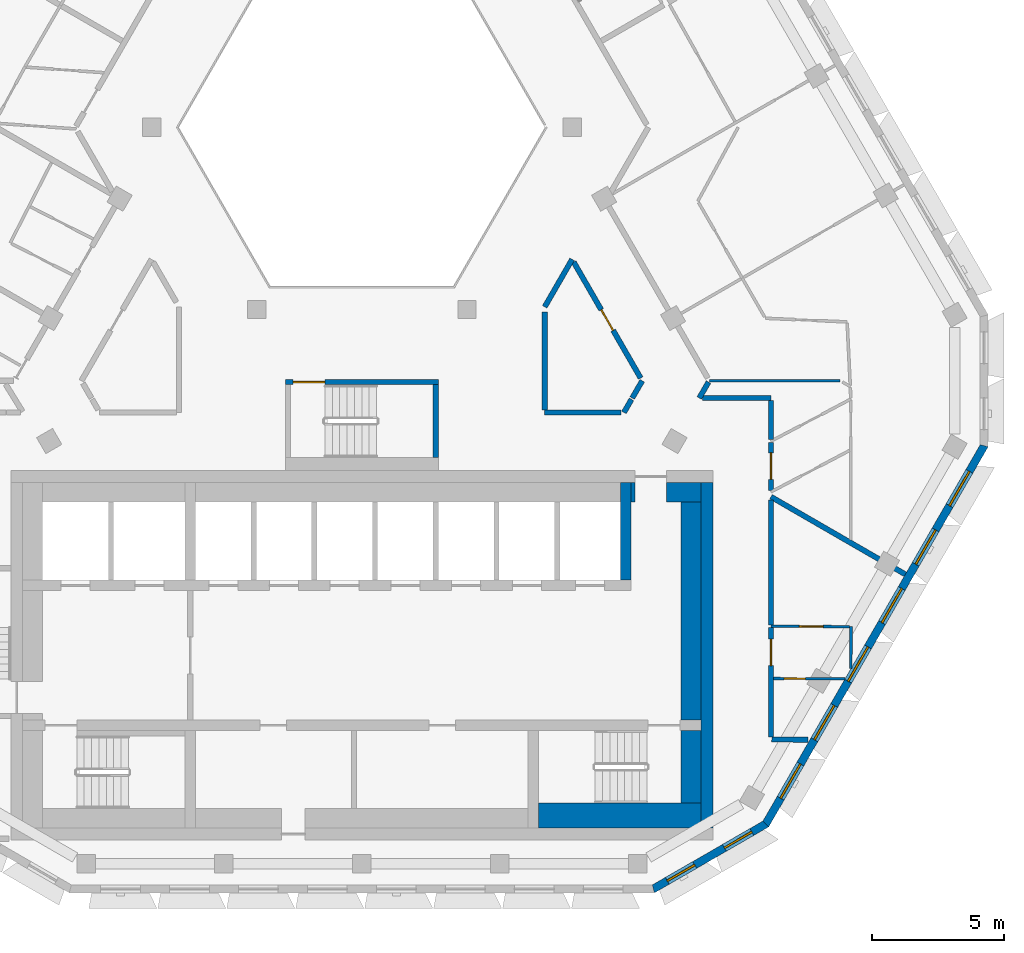
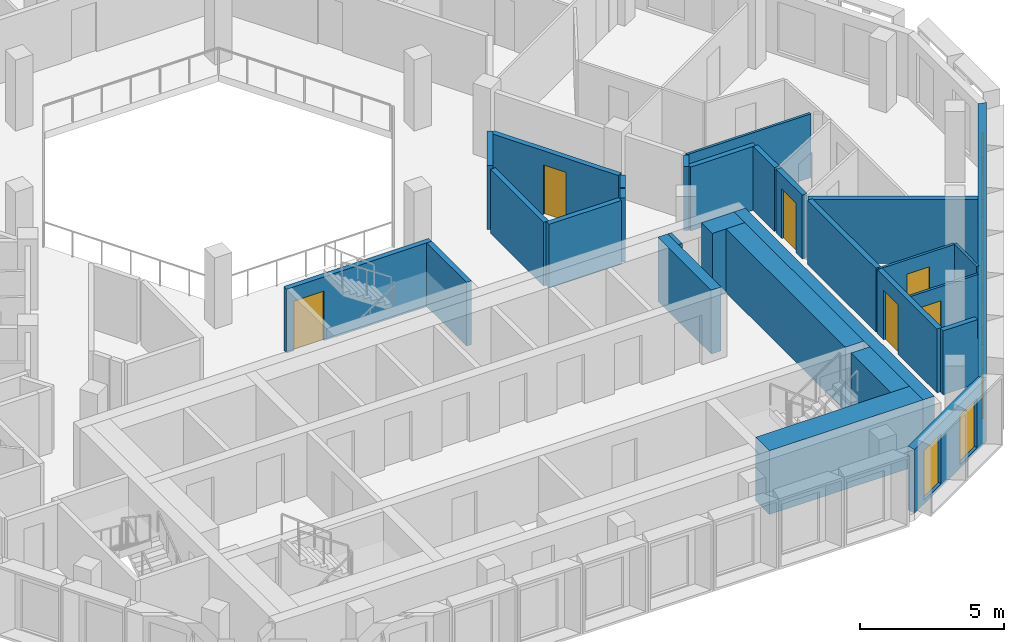
# One storey, part 6 of 16: 29 walls, 8 windows, 6 doors, 14 openings.
"""IFC4 building model written with IfcOpenShell, lengths in metres."""

from ifc_helpers import new_model, si_unit, direction, frame, frame_2d, origin, place, context, subcontext, project, spatial, polyline, rectangle, outline, extrude, material, layer, layer_set, type_object, element, fill, save


model = new_model("IFC4")

# Units and contexts
model_context = context("Model", 3, precision=1e-05, world=origin(), true_north=direction((0.0, 1.0)))
body_context = subcontext(model_context, "Body", "Model", "MODEL_VIEW")
ifc_project = project(units=[si_unit("LENGTHUNIT", "METRE"), si_unit("AREAUNIT", "SQUARE_METRE"), si_unit("VOLUMEUNIT", "CUBIC_METRE"), si_unit("PLANEANGLEUNIT", "RADIAN"), si_unit("MASSUNIT", "GRAM", prefix="KILO")], contexts=[model_context])

# Site, building, storey
site_placement = place(None, origin())
site = spatial("IfcSite", under=ifc_project, at=site_placement, CompositionType="ELEMENT")
building_placement = place(site_placement, origin())
building = spatial("IfcBuilding", under=site, at=building_placement, Name="Beryl Residences", CompositionType="ELEMENT")
storey_placement = place(building_placement, frame((0.0, 0.0, 208.800048828125)))
storey = spatial("IfcBuildingStorey", under=building, at=storey_placement, Name="L64", CompositionType="ELEMENT", Elevation=208.800048828125)

# Wall, openings, windows
ifc_material_1 = material(Name="Composite metal panel with mineral wool insulation")
ifc_layer_1 = layer(ifc_material_1, 0.300048828125)
ifc_layer_set_1 = layer_set([ifc_layer_1], Name="ES1 pale metal composite panel wall 300 mm")
wall_type_1 = type_object("IfcWallType", Name="ES1 pale metal composite panel wall 300 mm", PredefinedType="SOLIDWALL", material=ifc_layer_set_1)
wall_1_placement = place(storey_placement, frame((11.010009765625, -20.8701171875, 0.0), z_axis=(0.0, 0.0, 1.0), x_axis=(0.866022959057, 0.500004234368, 0.0)))
wall_1 = element("IfcWall", 1, at=wall_1_placement, inside=storey, type_object=wall_type_1, Name="ES1 external wall L64 S-SE", PredefinedType="SOLIDWALL", context=body_context, shape_type="SweptSolid", body=[
    extrude(outline(polyline([(0.0, -0.14990234375), (5.0, -0.14990234375), (4.919677734375, 0.14990234375), (0.080322265625, 0.14990234375), (0.0, -0.14990234375)])), origin(), (0.0, 0.0, 1.0), 2.699951171875),
])
opening_1_placement = place(wall_1_placement, frame((0.64990234375, 0.0, 0.14990234375)))
opening_1 = element("IfcOpeningElement", 2, at=opening_1_placement, cuts=wall_1, Name="Opening W2", PredefinedType="OPENING", context=body_context, shape_type="SweptSolid", body=[
    extrude(rectangle(XDim=1.199951171875, YDim=2.10009765625, at=frame_2d((0.60009765625, 1.050048828125))), frame((0.0, 0.159912109375, 0.0), z_axis=(0.0, -1.0, 0.0), x_axis=(1.0, 0.0, 0.0)), (0.0, 0.0, 1.0), 0.320068359375),
])
opening_2_placement = place(wall_1_placement, frame((3.14892578125, 0.0, 0.14990234375)))
opening_2 = element("IfcOpeningElement", 3, at=opening_2_placement, cuts=wall_1, Name="Opening W2", PredefinedType="OPENING", context=body_context, shape_type="SweptSolid", body=[
    extrude(rectangle(XDim=1.199951171875, YDim=2.10009765625, at=frame_2d((0.60009765625, 1.050048828125))), frame((0.0, 0.159912109375, 0.0), z_axis=(0.0, -1.0, 0.0), x_axis=(1.0, 0.0, 0.0)), (0.0, 0.0, 1.0), 0.320068359375),
])
ifc_material_2 = material(Name="Aluminium and clear glass", Category="aluminium")
window_type_1 = type_object("IfcWindowType", Name="W2 chamfer window 1200 x 2100 mm", PartitioningType="SINGLE_PANEL", PredefinedType="WINDOW", material=ifc_material_2)
window_1_placement = place(opening_1_placement, origin())
window_1 = element("IfcWindow", 4, at=window_1_placement, inside=storey, type_object=window_type_1, Name="W2 window L64 S-SE 1", OverallHeight=2.10009765625, OverallWidth=1.199951171875, PartitioningType="SINGLE_PANEL", PredefinedType="WINDOW", context=body_context, shape_type="SweptSolid", body=[
    extrude(rectangle(XDim=1.199951171875, YDim=2.10009765625, at=frame_2d((0.60009765625, 1.050048828125))), frame((0.0, 0.030029296875, 0.0), z_axis=(0.0, -1.0, 0.0), x_axis=(1.0, 0.0, 0.0)), (0.0, 0.0, 1.0), 0.06005859375),
])
fill(opening_1, window_1)
window_2_placement = place(opening_2_placement, origin())
window_2 = element("IfcWindow", 5, at=window_2_placement, inside=storey, type_object=window_type_1, Name="W2 window L64 S-SE 2", OverallHeight=2.10009765625, OverallWidth=1.199951171875, PartitioningType="SINGLE_PANEL", PredefinedType="WINDOW", context=body_context, shape_type="SweptSolid", body=[
    extrude(rectangle(XDim=1.199951171875, YDim=2.10009765625, at=frame_2d((0.60009765625, 1.050048828125))), frame((0.0, 0.030029296875, 0.0), z_axis=(0.0, -1.0, 0.0), x_axis=(1.0, 0.0, 0.0)), (0.0, 0.0, 1.0), 0.06005859375),
])
fill(opening_2, window_2)

wall_2_placement = place(storey_placement, frame((15.284912109375, -18.425048828125, 0.0), z_axis=(0.0, 0.0, 1.0), x_axis=(0.500012653391, 0.866018098222, 0.0)))
wall_2 = element("IfcWall", 6, at=wall_2_placement, inside=storey, type_object=wall_type_1, Name="ES1 external wall L64 SE", PredefinedType="SOLIDWALL", context=body_context, shape_type="SweptSolid", body=[
    extrude(outline(polyline([(0.0, -0.14990234375), (16.6279296875, -0.14990234375), (16.547607421875, 0.14990234375), (0.080322265625, 0.14990234375), (0.0, -0.14990234375)])), origin(), (0.0, 0.0, 1.0), 2.699951171875),
])
opening_3_placement = place(wall_2_placement, frame((1.1650390625, 0.0, 0.14990234375)))
opening_3 = element("IfcOpeningElement", 7, at=opening_3_placement, cuts=wall_2, Name="Opening W1", PredefinedType="OPENING", context=body_context, shape_type="SweptSolid", body=[
    extrude(rectangle(XDim=1.5, YDim=2.10009765625, at=frame_2d((0.75, 1.050048828125))), frame((0.0, 0.159912109375, 0.0), z_axis=(0.0, -1.0, 0.0), x_axis=(1.0, 0.0, 0.0)), (0.0, 0.0, 1.0), 0.320068359375),
])
opening_4_placement = place(wall_2_placement, frame((3.72412109375, 0.0, 0.14990234375)))
opening_4 = element("IfcOpeningElement", 8, at=opening_4_placement, cuts=wall_2, Name="Opening W1", PredefinedType="OPENING", context=body_context, shape_type="SweptSolid", body=[
    extrude(rectangle(XDim=1.5, YDim=2.10009765625, at=frame_2d((0.75, 1.050048828125))), frame((0.0, 0.159912109375, 0.0), z_axis=(0.0, -1.0, 0.0), x_axis=(1.0, 0.0, 0.0)), (0.0, 0.0, 1.0), 0.320068359375),
])
opening_5_placement = place(wall_2_placement, frame((6.282958984375, 0.0, 0.14990234375)))
opening_5 = element("IfcOpeningElement", 9, at=opening_5_placement, cuts=wall_2, Name="Opening W1", PredefinedType="OPENING", context=body_context, shape_type="SweptSolid", body=[
    extrude(rectangle(XDim=1.5, YDim=2.10009765625, at=frame_2d((0.75, 1.050048828125))), frame((0.0, 0.159912109375, 0.0), z_axis=(0.0, -1.0, 0.0), x_axis=(1.0, 0.0, 0.0)), (0.0, 0.0, 1.0), 0.320068359375),
])
opening_6_placement = place(wall_2_placement, frame((8.843017578125, 0.0, 0.14990234375)))
opening_6 = element("IfcOpeningElement", 10, at=opening_6_placement, cuts=wall_2, Name="Opening W1", PredefinedType="OPENING", context=body_context, shape_type="SweptSolid", body=[
    extrude(rectangle(XDim=1.5, YDim=2.10009765625, at=frame_2d((0.75, 1.050048828125))), frame((0.0, 0.159912109375, 0.0), z_axis=(0.0, -1.0, 0.0), x_axis=(1.0, 0.0, 0.0)), (0.0, 0.0, 1.0), 0.320068359375),
])
opening_7_placement = place(wall_2_placement, frame((11.402099609375, 0.0, 0.14990234375)))
opening_7 = element("IfcOpeningElement", 11, at=opening_7_placement, cuts=wall_2, Name="Opening W1", PredefinedType="OPENING", context=body_context, shape_type="SweptSolid", body=[
    extrude(rectangle(XDim=1.5, YDim=2.10009765625, at=frame_2d((0.75, 1.050048828125))), frame((0.0, 0.159912109375, 0.0), z_axis=(0.0, -1.0, 0.0), x_axis=(1.0, 0.0, 0.0)), (0.0, 0.0, 1.0), 0.320068359375),
])
opening_8_placement = place(wall_2_placement, frame((13.9619140625, 0.0, 0.14990234375)))
opening_8 = element("IfcOpeningElement", 12, at=opening_8_placement, cuts=wall_2, Name="Opening W1", PredefinedType="OPENING", context=body_context, shape_type="SweptSolid", body=[
    extrude(rectangle(XDim=1.5, YDim=2.10009765625, at=frame_2d((0.75, 1.050048828125))), frame((0.0, 0.159912109375, 0.0), z_axis=(0.0, -1.0, 0.0), x_axis=(1.0, 0.0, 0.0)), (0.0, 0.0, 1.0), 0.320068359375),
])
ifc_material_3 = material(Name="Aluminium and clear glass", Category="aluminium")
window_type_2 = type_object("IfcWindowType", Name="W1 cell window 1500 x 2100 mm", PartitioningType="SINGLE_PANEL", PredefinedType="WINDOW", material=ifc_material_3)
window_3_placement = place(opening_3_placement, origin())
window_3 = element("IfcWindow", 13, at=window_3_placement, inside=storey, type_object=window_type_2, Name="W1 window L64 SE 1", OverallHeight=2.10009765625, OverallWidth=1.5, PartitioningType="SINGLE_PANEL", PredefinedType="WINDOW", context=body_context, shape_type="SweptSolid", body=[
    extrude(rectangle(XDim=1.5, YDim=2.10009765625, at=frame_2d((0.75, 1.050048828125))), frame((0.0, 0.030029296875, 0.0), z_axis=(0.0, -1.0, 0.0), x_axis=(1.0, 0.0, 0.0)), (0.0, 0.0, 1.0), 0.06005859375),
])
fill(opening_3, window_3)
window_4_placement = place(opening_4_placement, origin())
window_4 = element("IfcWindow", 14, at=window_4_placement, inside=storey, type_object=window_type_2, Name="W1 window L64 SE 2", OverallHeight=2.10009765625, OverallWidth=1.5, PartitioningType="SINGLE_PANEL", PredefinedType="WINDOW", context=body_context, shape_type="SweptSolid", body=[
    extrude(rectangle(XDim=1.5, YDim=2.10009765625, at=frame_2d((0.75, 1.050048828125))), frame((0.0, 0.030029296875, 0.0), z_axis=(0.0, -1.0, 0.0), x_axis=(1.0, 0.0, 0.0)), (0.0, 0.0, 1.0), 0.06005859375),
])
fill(opening_4, window_4)
window_5_placement = place(opening_5_placement, origin())
window_5 = element("IfcWindow", 15, at=window_5_placement, inside=storey, type_object=window_type_2, Name="W1 window L64 SE 3", OverallHeight=2.10009765625, OverallWidth=1.5, PartitioningType="SINGLE_PANEL", PredefinedType="WINDOW", context=body_context, shape_type="SweptSolid", body=[
    extrude(rectangle(XDim=1.5, YDim=2.10009765625, at=frame_2d((0.75, 1.050048828125))), frame((0.0, 0.030029296875, 0.0), z_axis=(0.0, -1.0, 0.0), x_axis=(1.0, 0.0, 0.0)), (0.0, 0.0, 1.0), 0.06005859375),
])
fill(opening_5, window_5)
window_6_placement = place(opening_6_placement, origin())
window_6 = element("IfcWindow", 16, at=window_6_placement, inside=storey, type_object=window_type_2, Name="W1 window L64 SE 4", OverallHeight=2.10009765625, OverallWidth=1.5, PartitioningType="SINGLE_PANEL", PredefinedType="WINDOW", context=body_context, shape_type="SweptSolid", body=[
    extrude(rectangle(XDim=1.5, YDim=2.10009765625, at=frame_2d((0.75, 1.050048828125))), frame((0.0, 0.030029296875, 0.0), z_axis=(0.0, -1.0, 0.0), x_axis=(1.0, 0.0, 0.0)), (0.0, 0.0, 1.0), 0.06005859375),
])
fill(opening_6, window_6)
window_7_placement = place(opening_7_placement, origin())
window_7 = element("IfcWindow", 17, at=window_7_placement, inside=storey, type_object=window_type_2, Name="W1 window L64 SE 5", OverallHeight=2.10009765625, OverallWidth=1.5, PartitioningType="SINGLE_PANEL", PredefinedType="WINDOW", context=body_context, shape_type="SweptSolid", body=[
    extrude(rectangle(XDim=1.5, YDim=2.10009765625, at=frame_2d((0.75, 1.050048828125))), frame((0.0, 0.030029296875, 0.0), z_axis=(0.0, -1.0, 0.0), x_axis=(1.0, 0.0, 0.0)), (0.0, 0.0, 1.0), 0.06005859375),
])
fill(opening_7, window_7)
window_8_placement = place(opening_8_placement, origin())
window_8 = element("IfcWindow", 18, at=window_8_placement, inside=storey, type_object=window_type_2, Name="W1 window L64 SE 6", OverallHeight=2.10009765625, OverallWidth=1.5, PartitioningType="SINGLE_PANEL", PredefinedType="WINDOW", context=body_context, shape_type="SweptSolid", body=[
    extrude(rectangle(XDim=1.5, YDim=2.10009765625, at=frame_2d((0.75, 1.050048828125))), frame((0.0, 0.030029296875, 0.0), z_axis=(0.0, -1.0, 0.0), x_axis=(1.0, 0.0, 0.0)), (0.0, 0.0, 1.0), 0.06005859375),
])
fill(opening_8, window_8)

# Wall, opening, door
ifc_material_4 = material(Name="Gypsum board partition on steel studs", Category="steel")
ifc_layer_2 = layer(ifc_material_4, 0.10009765625)
ifc_layer_set_2 = layer_set([ifc_layer_2], Name="PT1 partition 100 mm gypsum board on steel studs")
wall_type_2 = type_object("IfcWallType", Name="PT1 partition 100 mm gypsum board on steel studs", PredefinedType="PARTITIONING", material=ifc_layer_set_2)
wall_3_placement = place(storey_placement, frame((15.5, -10.89990234375, 0.0), z_axis=(0.0, 0.0, 1.0), x_axis=(0.999985419789, -0.005400019449, 0.0)))
wall_3 = element("IfcWall", 19, at=wall_3_placement, inside=storey, type_object=wall_type_2, Name="Wall PT1 L64 001", PredefinedType="PARTITIONING", context=body_context, shape_type="SweptSolid", body=[
    extrude(rectangle(XDim=2.98388671875, YDim=0.10009765625, at=frame_2d((1.491943359375, 0.0))), origin(), (0.0, 0.0, 1.0), 2.699951171875),
])
opening_9_placement = place(wall_3_placement, frame((1.077880859375, 0.0, 0.0)))
opening_9 = element("IfcOpeningElement", 20, at=opening_9_placement, cuts=wall_3, Name="Opening D1827", PredefinedType="OPENING", context=body_context, shape_type="SweptSolid", body=[
    extrude(rectangle(XDim=0.89990234375, YDim=2.10009765625, at=frame_2d((0.449951171875, 1.050048828125))), frame((0.0, 0.06005859375, 0.0), z_axis=(0.0, -1.0, 0.0), x_axis=(1.0, 0.0, 0.0)), (0.0, 0.0, 1.0), 0.1201171875),
])
ifc_material_5 = material(Name="Timber door leaf", Category="wood")
door_type_1 = type_object("IfcDoorType", Name="D2 room door 900 x 2100 mm", OperationType="SINGLE_SWING_LEFT", PredefinedType="DOOR", material=ifc_material_5)
door_1_placement = place(opening_9_placement, origin())
door_1 = element("IfcDoor", 21, at=door_1_placement, inside=storey, type_object=door_type_1, Name="Door D1827 L64 001", OperationType="SINGLE_SWING_LEFT", OverallHeight=2.10009765625, OverallWidth=0.89990234375, PredefinedType="DOOR", context=body_context, shape_type="SweptSolid", body=[
    extrude(rectangle(XDim=0.89990234375, YDim=2.10009765625, at=frame_2d((0.449951171875, 1.050048828125))), frame((0.0, 0.02490234375, 0.0), z_axis=(0.0, -1.0, 0.0), x_axis=(1.0, 0.0, 0.0)), (0.0, 0.0, 1.0), 0.050048828125),
])
fill(opening_9, door_1)

wall_4_placement = place(storey_placement, frame((15.60009765625, -12.881103515625, 0.0), z_axis=(0.0, 0.0, 1.0), x_axis=(0.999986765426, -0.00514480058, 0.0)))
wall_4 = element("IfcWall", 22, at=wall_4_placement, inside=storey, type_object=wall_type_2, Name="Wall PT1 L64 002", PredefinedType="PARTITIONING", context=body_context, shape_type="SweptSolid", body=[
    extrude(rectangle(XDim=2.704833984375, YDim=0.10009765625, at=frame_2d((1.3525390625, 0.0))), origin(), (0.0, 0.0, 1.0), 2.699951171875),
])
opening_10_placement = place(wall_4_placement, frame((0.402099609375, 0.0, 0.0)))
opening_10 = element("IfcOpeningElement", 23, at=opening_10_placement, cuts=wall_4, Name="Opening D1828", PredefinedType="OPENING", context=body_context, shape_type="SweptSolid", body=[
    extrude(rectangle(XDim=0.800048828125, YDim=2.10009765625, at=frame_2d((0.39990234375, 1.050048828125))), frame((0.0, 0.06005859375, 0.0), z_axis=(0.0, -1.0, 0.0), x_axis=(1.0, 0.0, 0.0)), (0.0, 0.0, 1.0), 0.1201171875),
])
ifc_material_6 = material(Name="Timber door leaf", Category="wood")
door_type_2 = type_object("IfcDoorType", Name="D3 bathroom door 800 x 2100 mm", OperationType="SINGLE_SWING_LEFT", PredefinedType="DOOR", material=ifc_material_6)
door_2_placement = place(opening_10_placement, origin())
door_2 = element("IfcDoor", 24, at=door_2_placement, inside=storey, type_object=door_type_2, Name="Door D1828 L64 001", OperationType="SINGLE_SWING_RIGHT", OverallHeight=2.10009765625, OverallWidth=0.800048828125, PredefinedType="DOOR", context=body_context, shape_type="SweptSolid", body=[
    extrude(rectangle(XDim=0.800048828125, YDim=2.10009765625, at=frame_2d((0.39990234375, 1.050048828125))), frame((0.0, 0.02490234375, 0.0), z_axis=(0.0, -1.0, 0.0), x_axis=(1.0, 0.0, 0.0)), (0.0, 0.0, 1.0), 0.050048828125),
])
fill(opening_10, door_2)

# Walls
wall_5_placement = place(storey_placement, frame((13.1630859375, -1.59912109375, 0.0), z_axis=(0.0, 0.0, 1.0), x_axis=(1.0, 0.0, 0.0)))
element("IfcWall", 25, at=wall_5_placement, inside=storey, type_object=wall_type_2, Name="Wall PT1 L64 025", PredefinedType="PARTITIONING", context=body_context, shape_type="SweptSolid", body=[
    extrude(rectangle(XDim=4.9619140625, YDim=0.10009765625, at=frame_2d((2.48095703125, 0.0))), origin(), (0.0, 0.0, 1.0), 2.699951171875),
])
wall_6_placement = place(storey_placement, frame((18.527099609375, -12.509033203125, 0.0), z_axis=(0.0, 0.0, 1.0), x_axis=(0.004907163735, 0.9999879598, 0.0)))
element("IfcWall", 26, at=wall_6_placement, inside=storey, type_object=wall_type_2, Name="Wall PT1 L64 036", PredefinedType="PARTITIONING", context=body_context, shape_type="SweptSolid", body=[
    extrude(rectangle(XDim=1.592041015625, YDim=0.10009765625, at=frame_2d((0.7958984375, 0.0))), origin(), (0.0, 0.0, 1.0), 2.699951171875),
])
ifc_material_7 = material(Name="Concrete masonry", Category="masonry")
ifc_layer_3 = layer(ifc_material_7, 0.14990234375)
ifc_layer_set_3 = layer_set([ifc_layer_3], Name="PT13-150 lobby wall 150 mm")
wall_type_3 = type_object("IfcWallType", Name="PT13-150 lobby wall 150 mm", PredefinedType="PARTITIONING", material=ifc_layer_set_3)
wall_7_placement = place(storey_placement, frame((10.27490234375, -6.199951171875, 0.0), z_axis=(0.0, 0.0, 1.0), x_axis=(0.0, 1.0, 0.0)))
element("IfcWall", 27, at=wall_7_placement, inside=storey, type_object=wall_type_3, Name="Lobby wall 24", PredefinedType="PARTITIONING", context=body_context, shape_type="SweptSolid", body=[
    extrude(rectangle(XDim=0.75, YDim=0.14990234375, at=frame_2d((0.375, 0.0))), origin(), (0.0, 0.0, 1.0), 2.699951171875),
])
ifc_material_8 = material(Name="Concrete masonry", Category="masonry")
ifc_layer_4 = layer(ifc_material_8, 0.75)
ifc_layer_set_4 = layer_set([ifc_layer_4], Name="PT13-750 lobby wall 750 mm")
wall_type_4 = type_object("IfcWallType", Name="PT13-750 lobby wall 750 mm", PredefinedType="PARTITIONING", material=ifc_layer_set_4)
wall_8_placement = place(storey_placement, frame((11.550048828125, -5.824951171875, 0.0), z_axis=(0.0, 0.0, 1.0), x_axis=(1.0, 0.0, 0.0)))
element("IfcWall", 28, at=wall_8_placement, inside=storey, type_object=wall_type_4, Name="Lobby wall 25", PredefinedType="PARTITIONING", context=body_context, shape_type="SweptSolid", body=[
    extrude(rectangle(XDim=1.300048828125, YDim=0.75, at=frame_2d((0.64990234375, 0.0))), origin(), (0.0, 0.0, 1.0), 2.699951171875),
])
wall_9_placement = place(storey_placement, frame((12.47509765625, -14.449951171875, 0.0), z_axis=(0.0, 0.0, 1.0), x_axis=(0.0, 1.0, 0.0)))
element("IfcWall", 29, at=wall_9_placement, inside=storey, type_object=wall_type_4, Name="Lobby wall 27", PredefinedType="PARTITIONING", context=body_context, shape_type="SweptSolid", body=[
    extrude(rectangle(XDim=8.25, YDim=0.75, at=frame_2d((4.125, 0.0))), origin(), (0.0, 0.0, 1.0), 2.699951171875),
])
ifc_material_9 = material(Name="Acoustic double stud gypsum board wall")
ifc_layer_5 = layer(ifc_material_9, 0.199951171875)
ifc_layer_set_5 = layer_set([ifc_layer_5], Name="PT3 party wall 200 mm acoustic double stud")
wall_type_5 = type_object("IfcWallType", Name="PT3 party wall 200 mm acoustic double stud", PredefinedType="PARTITIONING", material=ifc_layer_set_5)
wall_10_placement = place(storey_placement, frame((15.530029296875, -15.19091796875, 0.0), z_axis=(0.0, 0.0, 1.0), x_axis=(0.999986762212, -0.005145425143, 0.0)))
element("IfcWall", 30, at=wall_10_placement, inside=storey, type_object=wall_type_5, Name="Wall PT3 L64 001", PredefinedType="PARTITIONING", context=body_context, shape_type="SweptSolid", body=[
    extrude(rectangle(XDim=1.3759765625, YDim=0.199951171875, at=frame_2d((0.68798828125, 0.0))), origin(), (0.0, 0.0, 1.0), 2.699951171875),
])
wall_11_placement = place(storey_placement, frame((15.5, -5.9951171875, 0.0), z_axis=(0.0, 0.0, 1.0), x_axis=(0.866052111102, -0.499953738716, 0.0)))
element("IfcWall", 31, at=wall_11_placement, inside=storey, type_object=wall_type_5, Name="Wall PT3 L64 005", PredefinedType="PARTITIONING", context=body_context, shape_type="SweptSolid", body=[
    extrude(rectangle(XDim=5.87841796875, YDim=0.199951171875, at=frame_2d((2.939208984375, 0.0))), origin(), (0.0, 0.0, 1.0), 2.699951171875),
])

# Wall, opening, door
ifc_material_10 = material(Name="Double stud gypsum board wall")
ifc_layer_6 = layer(ifc_material_10, 0.199951171875)
ifc_layer_set_6 = layer_set([ifc_layer_6], Name="PT4 corridor wall 200 mm double stud")
wall_type_6 = type_object("IfcWallType", Name="PT4 corridor wall 200 mm double stud", PredefinedType="PARTITIONING", material=ifc_layer_set_6)
wall_12_placement = place(storey_placement, frame((8.02587890625, 2.89892578125, 0.0), z_axis=(0.0, 0.0, 1.0), x_axis=(0.499986018985, -0.866033475577, 0.0)))
wall_12 = element("IfcWall", 32, at=wall_12_placement, inside=storey, type_object=wall_type_6, Name="Wall PT4 L64 005", PredefinedType="PARTITIONING", context=body_context, shape_type="SweptSolid", body=[
    extrude(rectangle(XDim=5.078369140625, YDim=0.199951171875, at=frame_2d((2.5390625, 0.0))), origin(), (0.0, 0.0, 1.0), 2.699951171875),
])
opening_11_placement = place(wall_12_placement, frame((2.089111328125, 0.0, 0.0)))
opening_11 = element("IfcOpeningElement", 33, at=opening_11_placement, cuts=wall_12, Name="Opening D1843", PredefinedType="OPENING", context=body_context, shape_type="SweptSolid", body=[
    extrude(rectangle(XDim=0.89990234375, YDim=2.10009765625, at=frame_2d((0.449951171875, 1.050048828125))), frame((0.0, 0.10986328125, 0.0), z_axis=(0.0, -1.0, 0.0), x_axis=(1.0, 0.0, 0.0)), (0.0, 0.0, 1.0), 0.219970703125),
])
door_3_placement = place(opening_11_placement, origin())
door_3 = element("IfcDoor", 34, at=door_3_placement, inside=storey, type_object=door_type_1, Name="Door D1843 L64 001", OperationType="SINGLE_SWING_LEFT", OverallHeight=2.10009765625, OverallWidth=0.89990234375, PredefinedType="DOOR", context=body_context, shape_type="SweptSolid", body=[
    extrude(rectangle(XDim=0.89990234375, YDim=2.10009765625, at=frame_2d((0.449951171875, 1.050048828125))), frame((0.0, 0.02490234375, 0.0), z_axis=(0.0, -1.0, 0.0), x_axis=(1.0, 0.0, 0.0)), (0.0, 0.0, 1.0), 0.050048828125),
])
fill(opening_11, door_3)

# Walls
wall_13_placement = place(storey_placement, frame((6.927978515625, 1.0, 0.0), z_axis=(0.0, 0.0, 1.0), x_axis=(0.0, -1.0, 0.0)))
element("IfcWall", 35, at=wall_13_placement, inside=storey, type_object=wall_type_6, Name="Wall PT4 L64 009", PredefinedType="PARTITIONING", context=body_context, shape_type="SweptSolid", body=[
    extrude(rectangle(XDim=3.698974609375, YDim=0.199951171875, at=frame_2d((1.849609375, 0.0))), origin(), (0.0, 0.0, 1.0), 2.699951171875),
])
wall_14_placement = place(storey_placement, frame((15.5, -2.35595703125, 0.0), z_axis=(0.0, 0.0, 1.0), x_axis=(0.0, -1.0, 0.0)))
element("IfcWall", 36, at=wall_14_placement, inside=storey, type_object=wall_type_6, Name="Wall PT4 L64 010", PredefinedType="PARTITIONING", context=body_context, shape_type="SweptSolid", body=[
    extrude(rectangle(XDim=1.47802734375, YDim=0.199951171875, at=frame_2d((0.739013671875, 0.0))), origin(), (0.0, 0.0, 1.0), 2.699951171875),
])
wall_15_placement = place(storey_placement, frame((15.5, -6.110107421875, 0.0), z_axis=(0.0, 0.0, 1.0), x_axis=(0.0, -1.0, 0.0)))
element("IfcWall", 37, at=wall_15_placement, inside=storey, type_object=wall_type_6, Name="Wall PT4 L64 011", PredefinedType="PARTITIONING", context=body_context, shape_type="SweptSolid", body=[
    extrude(rectangle(XDim=4.739990234375, YDim=0.199951171875, at=frame_2d((2.3701171875, 0.0))), origin(), (0.0, 0.0, 1.0), 2.699951171875),
])
wall_16_placement = place(storey_placement, frame((12.902099609375, -2.256103515625, 0.0), z_axis=(0.0, 0.0, 1.0), x_axis=(1.0, 0.0, 0.0)))
element("IfcWall", 38, at=wall_16_placement, inside=storey, type_object=wall_type_6, Name="Wall PT4 L64 015", PredefinedType="PARTITIONING", context=body_context, shape_type="SweptSolid", body=[
    extrude(rectangle(XDim=2.597900390625, YDim=0.199951171875, at=frame_2d((1.298828125, 0.0))), origin(), (0.0, 0.0, 1.0), 2.699951171875),
])
wall_17_placement = place(storey_placement, frame((6.928955078125, -2.800048828125, 0.0), z_axis=(0.0, 0.0, 1.0), x_axis=(1.0, 0.0, 0.0)))
element("IfcWall", 39, at=wall_17_placement, inside=storey, type_object=wall_type_6, Name="Wall PT4 L64 018", PredefinedType="PARTITIONING", context=body_context, shape_type="SweptSolid", body=[
    extrude(rectangle(XDim=2.885009765625, YDim=0.199951171875, at=frame_2d((1.4423828125, 0.0))), origin(), (0.0, 0.0, 1.0), 2.699951171875),
])
wall_18_placement = place(storey_placement, frame((6.927978515625, 1.199951171875, 0.0), z_axis=(0.0, 0.0, 1.0), x_axis=(0.500132712588, 0.865948768577, 0.0)))
element("IfcWall", 40, at=wall_18_placement, inside=storey, type_object=wall_type_6, Name="Wall PT4 L64 020", PredefinedType="PARTITIONING", context=body_context, shape_type="SweptSolid", body=[
    extrude(rectangle(XDim=2.07763671875, YDim=0.199951171875, at=frame_2d((1.038818359375, 0.0))), origin(), (0.0, 0.0, 1.0), 2.699951171875),
])
wall_19_placement = place(storey_placement, frame((9.929931640625, -2.800048828125, 0.0), z_axis=(0.0, 0.0, 1.0), x_axis=(0.500164219654, 0.865930570761, 0.0)))
element("IfcWall", 41, at=wall_19_placement, inside=storey, type_object=wall_type_6, Name="Wall PT4 L64 022", PredefinedType="PARTITIONING", context=body_context, shape_type="SweptSolid", body=[
    extrude(rectangle(XDim=0.573974609375, YDim=0.199951171875, at=frame_2d((0.287109375, 0.0))), origin(), (0.0, 0.0, 1.0), 2.699951171875),
])
wall_20_placement = place(storey_placement, frame((10.243896484375, -2.2548828125, 0.0), z_axis=(0.0, 0.0, 1.0), x_axis=(0.50109986513, 0.865389464442, 0.0)))
element("IfcWall", 42, at=wall_20_placement, inside=storey, type_object=wall_type_6, Name="Wall PT4 L64 023", PredefinedType="PARTITIONING", context=body_context, shape_type="SweptSolid", body=[
    extrude(rectangle(XDim=0.756591796875, YDim=0.199951171875, at=frame_2d((0.37841796875, 0.0))), origin(), (0.0, 0.0, 1.0), 2.699951171875),
])
wall_21_placement = place(storey_placement, frame((12.784912109375, -2.25390625, 0.0), z_axis=(0.0, 0.0, 1.0), x_axis=(0.500871040665, 0.865521923826, 0.0)))
element("IfcWall", 43, at=wall_21_placement, inside=storey, type_object=wall_type_6, Name="Wall PT4 L64 024", PredefinedType="PARTITIONING", context=body_context, shape_type="SweptSolid", body=[
    extrude(rectangle(XDim=0.698974609375, YDim=0.199951171875, at=frame_2d((0.349609375, 0.0))), origin(), (0.0, 0.0, 1.0), 2.699951171875),
])

# Wall, opening, door
wall_22_placement = place(storey_placement, frame((15.5, -15.090087890625, 0.0), z_axis=(0.0, 0.0, 1.0), x_axis=(0.0, 1.0, 0.0)))
wall_22 = element("IfcWall", 44, at=wall_22_placement, inside=storey, type_object=wall_type_6, Name="Wall PT4 L64 029", PredefinedType="PARTITIONING", context=body_context, shape_type="SweptSolid", body=[
    extrude(rectangle(XDim=4.14013671875, YDim=0.199951171875, at=frame_2d((2.070068359375, 0.0))), origin(), (0.0, 0.0, 1.0), 2.699951171875),
])
opening_12_placement = place(wall_22_placement, frame((2.699951171875, 0.0, 0.0)))
opening_12 = element("IfcOpeningElement", 45, at=opening_12_placement, cuts=wall_22, Name="Opening D1826", PredefinedType="OPENING", context=body_context, shape_type="SweptSolid", body=[
    extrude(rectangle(XDim=1.0, YDim=2.10009765625, at=frame_2d((0.5, 1.050048828125))), frame((0.0, 0.10986328125, 0.0), z_axis=(0.0, -1.0, 0.0), x_axis=(1.0, 0.0, 0.0)), (0.0, 0.0, 1.0), 0.219970703125),
])
ifc_material_11 = material(Name="Timber door leaf", Category="wood")
door_type_3 = type_object("IfcDoorType", Name="D1 flat entrance door 1000 x 2100 mm", OperationType="SINGLE_SWING_LEFT", PredefinedType="DOOR", material=ifc_material_11)
door_4_placement = place(opening_12_placement, origin())
door_4 = element("IfcDoor", 46, at=door_4_placement, inside=storey, type_object=door_type_3, Name="Door D1826 L64 001", OperationType="SINGLE_SWING_RIGHT", OverallHeight=2.10009765625, OverallWidth=1.0, PredefinedType="DOOR", context=body_context, shape_type="SweptSolid", body=[
    extrude(rectangle(XDim=1.0, YDim=2.10009765625, at=frame_2d((0.5, 1.050048828125))), frame((0.0, 0.02490234375, 0.0), z_axis=(0.0, -1.0, 0.0), x_axis=(1.0, 0.0, 0.0)), (0.0, 0.0, 1.0), 0.050048828125),
])
fill(opening_12, door_4)

wall_23_placement = place(storey_placement, frame((15.5, -5.756103515625, 0.0), z_axis=(0.0, 0.0, 1.0), x_axis=(0.0, 1.0, 0.0)))
wall_23 = element("IfcWall", 47, at=wall_23_placement, inside=storey, type_object=wall_type_6, Name="Wall PT4 L64 030", PredefinedType="PARTITIONING", context=body_context, shape_type="SweptSolid", body=[
    extrude(rectangle(XDim=1.80908203125, YDim=0.199951171875, at=frame_2d((0.904541015625, 0.0))), origin(), (0.0, 0.0, 1.0), 2.699951171875),
])
opening_13_placement = place(wall_23_placement, frame((0.419921875, 0.0, 0.0)))
opening_13 = element("IfcOpeningElement", 48, at=opening_13_placement, cuts=wall_23, Name="Opening D1829", PredefinedType="OPENING", context=body_context, shape_type="SweptSolid", body=[
    extrude(rectangle(XDim=1.0, YDim=2.10009765625, at=frame_2d((0.5, 1.050048828125))), frame((0.0, 0.10986328125, 0.0), z_axis=(0.0, -1.0, 0.0), x_axis=(1.0, 0.0, 0.0)), (0.0, 0.0, 1.0), 0.219970703125),
])
door_5_placement = place(opening_13_placement, origin())
door_5 = element("IfcDoor", 49, at=door_5_placement, inside=storey, type_object=door_type_3, Name="Door D1829 L64 001", OperationType="SINGLE_SWING_LEFT", OverallHeight=2.10009765625, OverallWidth=1.0, PredefinedType="DOOR", context=body_context, shape_type="SweptSolid", body=[
    extrude(rectangle(XDim=1.0, YDim=2.10009765625, at=frame_2d((0.5, 1.050048828125))), frame((0.0, 0.02490234375, 0.0), z_axis=(0.0, -1.0, 0.0), x_axis=(1.0, 0.0, 0.0)), (0.0, 0.0, 1.0), 0.050048828125),
])
fill(opening_13, door_5)

ifc_material_12 = material(Name="Concrete C40/50", Category="concrete")
ifc_layer_7 = layer(ifc_material_12, 0.199951171875)
ifc_layer_set_7 = layer_set([ifc_layer_7], Name="PT5 stair enclosure wall 200 mm reinforced concrete C40/50")
wall_type_7 = type_object("IfcWallType", Name="PT5 stair enclosure wall 200 mm reinforced concrete C40/50", PredefinedType="SOLIDWALL", material=ifc_layer_set_7)
wall_24_placement = place(storey_placement, frame((-2.89990234375, -1.64990234375, 0.0), z_axis=(0.0, 0.0, 1.0), x_axis=(1.0, 0.0, 0.0)))
wall_24 = element("IfcWall", 50, at=wall_24_placement, inside=storey, type_object=wall_type_7, Name="Wall PT5 L64 001", PredefinedType="SOLIDWALL", context=body_context, shape_type="SweptSolid", body=[
    extrude(rectangle(XDim=5.7998046875, YDim=0.199951171875, at=frame_2d((2.89990234375, 0.0))), origin(), (0.0, 0.0, 1.0), 2.699951171875),
])
opening_14_placement = place(wall_24_placement, frame((0.300048828125, 0.0, 0.0)))
opening_14 = element("IfcOpeningElement", 51, at=opening_14_placement, cuts=wall_24, Name="Opening DS04", PredefinedType="OPENING", context=body_context, shape_type="SweptSolid", body=[
    extrude(rectangle(XDim=1.199951171875, YDim=2.10009765625, at=frame_2d((0.60009765625, 1.050048828125))), frame((0.0, 0.10986328125, 0.0), z_axis=(0.0, -1.0, 0.0), x_axis=(1.0, 0.0, 0.0)), (0.0, 0.0, 1.0), 0.219970703125),
])
ifc_material_13 = material(Name="Steel door leaf in steel frame", Category="steel")
door_type_4 = type_object("IfcDoorType", Name="D4 stair door 1200 x 2100 mm", OperationType="SINGLE_SWING_LEFT", PredefinedType="DOOR", material=ifc_material_13)
door_6_placement = place(opening_14_placement, origin())
door_6 = element("IfcDoor", 52, at=door_6_placement, inside=storey, type_object=door_type_4, Name="Door DS04 L64 001", OperationType="SINGLE_SWING_LEFT", OverallHeight=2.10009765625, OverallWidth=1.199951171875, PredefinedType="DOOR", context=body_context, shape_type="SweptSolid", body=[
    extrude(rectangle(XDim=1.199951171875, YDim=2.10009765625, at=frame_2d((0.60009765625, 1.050048828125))), frame((0.0, 0.02490234375, 0.0), z_axis=(0.0, -1.0, 0.0), x_axis=(1.0, 0.0, 0.0)), (0.0, 0.0, 1.0), 0.050048828125),
])
fill(opening_14, door_6)

# Walls
wall_25_placement = place(storey_placement, frame((2.800048828125, -4.5, 0.0), z_axis=(0.0, 0.0, 1.0), x_axis=(0.0, 1.0, 0.0)))
element("IfcWall", 53, at=wall_25_placement, inside=storey, type_object=wall_type_7, Name="Wall PT5 L64 003", PredefinedType="SOLIDWALL", context=body_context, shape_type="SweptSolid", body=[
    extrude(rectangle(XDim=2.75, YDim=0.199951171875, at=frame_2d((1.375, 0.0))), origin(), (0.0, 0.0, 1.0), 2.699951171875),
])
ifc_material_14 = material(Name="Concrete C40/50", Category="concrete")
ifc_layer_8 = layer(ifc_material_14, 0.75)
ifc_layer_set_8 = layer_set([ifc_layer_8], Name="PT5-750 stair enclosure wall 750 mm")
wall_type_8 = type_object("IfcWallType", Name="PT5-750 stair enclosure wall 750 mm", PredefinedType="SOLIDWALL", material=ifc_layer_set_8)
wall_26_placement = place(storey_placement, frame((12.47509765625, -17.60009765625, 0.0), z_axis=(0.0, 0.0, 1.0), x_axis=(0.0, 1.0, 0.0)))
element("IfcWall", 54, at=wall_26_placement, inside=storey, type_object=wall_type_8, Name="Stair wall 26", PredefinedType="SOLIDWALL", context=body_context, shape_type="SweptSolid", body=[
    extrude(rectangle(XDim=2.75, YDim=0.75, at=frame_2d((1.375, 0.0))), origin(), (0.0, 0.0, 1.0), 2.699951171875),
])
ifc_material_15 = material(Name="Concrete C40/50", Category="concrete")
ifc_layer_9 = layer(ifc_material_15, 0.949951171875)
ifc_layer_set_9 = layer_set([ifc_layer_9], Name="PT5-950 stair enclosure wall 950 mm")
wall_type_9 = type_object("IfcWallType", Name="PT5-950 stair enclosure wall 950 mm", PredefinedType="SOLIDWALL", material=ifc_layer_set_9)
wall_27_placement = place(storey_placement, frame((6.699951171875, -18.074951171875, 0.0), z_axis=(0.0, 0.0, 1.0), x_axis=(1.0, 0.0, 0.0)))
element("IfcWall", 55, at=wall_27_placement, inside=storey, type_object=wall_type_9, Name="Stair wall 22", PredefinedType="SOLIDWALL", context=body_context, shape_type="SweptSolid", body=[
    extrude(rectangle(XDim=6.150146484375, YDim=0.949951171875, at=frame_2d((3.0751953125, 0.0))), origin(), (0.0, 0.0, 1.0), 2.699951171875),
])
ifc_material_16 = material(Name="Concrete C50/60", Category="concrete")
ifc_layer_10 = layer(ifc_material_16, 0.39990234375)
ifc_layer_set_10 = layer_set([ifc_layer_10], Name="SW10 core internal wall 400 mm C50/60")
wall_type_10 = type_object("IfcWallType", Name="SW10 core internal wall 400 mm C50/60", PredefinedType="SHEAR", material=ifc_layer_set_10)
wall_28_placement = place(storey_placement, frame((10.0, -9.14990234375, 0.0), z_axis=(0.0, 0.0, 1.0), x_axis=(0.0, 1.0, 0.0)))
element("IfcWall", 56, at=wall_28_placement, inside=storey, type_object=wall_type_10, Name="Core wall XN2 L64", PredefinedType="SHEAR", context=body_context, shape_type="SweptSolid", body=[
    extrude(rectangle(XDim=3.699951171875, YDim=0.39990234375, at=frame_2d((1.85009765625, 0.0))), origin(), (0.0, 0.0, 1.0), 2.699951171875),
])
ifc_material_17 = material(Name="Concrete C50/60", Category="concrete")
ifc_layer_11 = layer(ifc_material_17, 0.449951171875)
ifc_layer_set_11 = layer_set([ifc_layer_11], Name="SW5 core outer wall 450 mm C50/60")
wall_type_11 = type_object("IfcWallType", Name="SW5 core outer wall 450 mm C50/60", PredefinedType="SHEAR", material=ifc_layer_set_11)
wall_29_placement = place(storey_placement, frame((13.074951171875, -18.550048828125, 0.0), z_axis=(0.0, 0.0, 1.0), x_axis=(0.0, 1.0, 0.0)))
element("IfcWall", 57, at=wall_29_placement, inside=storey, type_object=wall_type_11, Name="Core wall E L64", PredefinedType="SHEAR", context=body_context, shape_type="SweptSolid", body=[
    extrude(rectangle(XDim=13.10009765625, YDim=0.449951171875, at=frame_2d((6.550048828125, 0.0))), origin(), (0.0, 0.0, 1.0), 2.699951171875),
])

save(model, "model.ifc")
